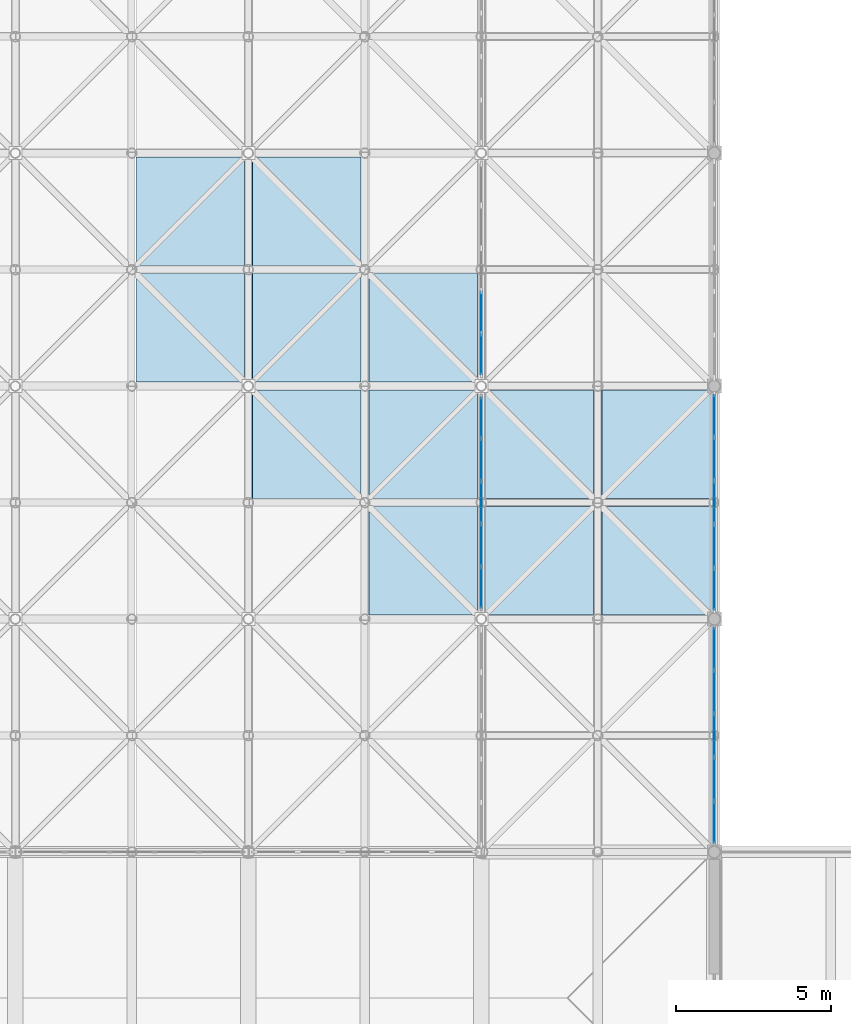
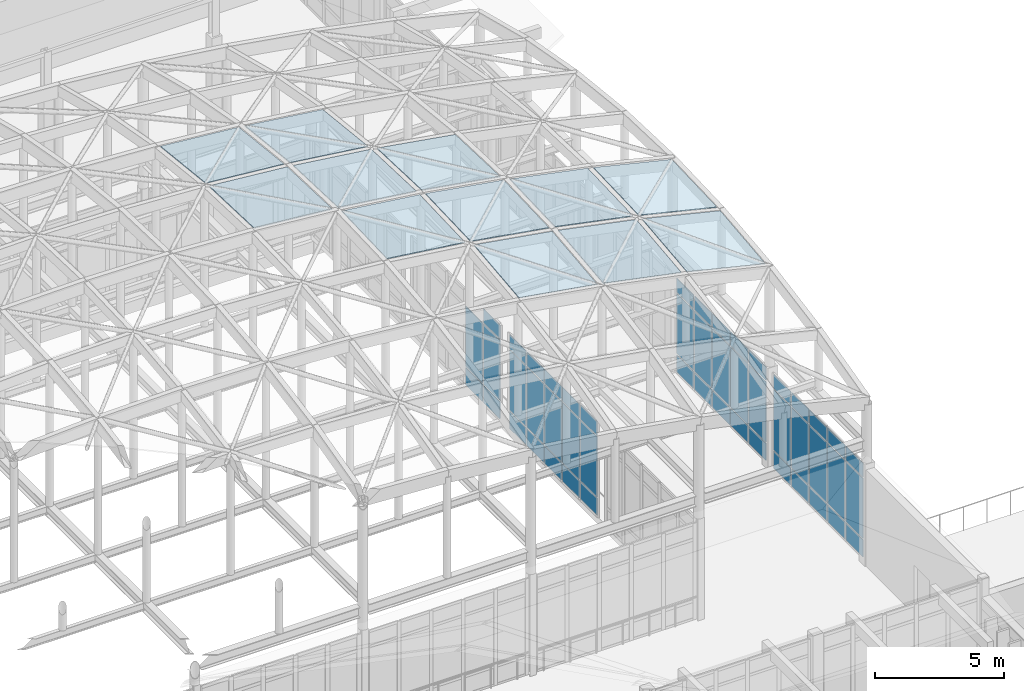
# One storey, part 84 of 131: 62 plates, 5 elements without a shape of their own.
"""IFC4 building model written with IfcOpenShell, lengths in metres."""

from ifc_helpers import new_model, si_unit, direction, frame, origin, origin_2d, place, context, subcontext, project, spatial, polyline, rectangle, outline, extrude, material, layer, layer_set, type_object, element, aggregate, save


model = new_model("IFC4")

# Units and contexts
model_context = context("Model", 3, precision=1e-05, world=origin(), true_north=direction((0.0, 1.0)))
body_context = subcontext(model_context, "Body", "Model", "MODEL_VIEW")
ifc_project = project(units=[si_unit("LENGTHUNIT", "METRE"), si_unit("AREAUNIT", "SQUARE_METRE"), si_unit("VOLUMEUNIT", "CUBIC_METRE"), si_unit("PLANEANGLEUNIT", "RADIAN"), si_unit("MASSUNIT", "GRAM", prefix="KILO")], contexts=[model_context])

# Site, building, storey
site_placement = place(None, origin())
site = spatial("IfcSite", under=ifc_project, at=site_placement, CompositionType="ELEMENT")
building_placement = place(site_placement, origin())
building = spatial("IfcBuilding", under=site, at=building_placement, Name="Dalvernix Boulevard General Hospital", CompositionType="ELEMENT")
storey_placement = place(building_placement, frame((0.0, 0.0, 9.300048828125)))
storey = spatial("IfcBuildingStorey", under=building, at=storey_placement, Name="L02", CompositionType="ELEMENT", Elevation=9.300048828125)

# Curtain wall, plates
ifc_material_1 = material(Name="Thermally broken aluminium and solar-control glass curtain wall", Category="aluminium")
ifc_layer_1 = layer(ifc_material_1, 0.159912109375)
ifc_layer_set_1 = layer_set([ifc_layer_1], Name="Thermally broken aluminium and solar-control glass curtain wall (CW-CW-A-70x46)")
curtain_wall_type_1 = type_object("IfcCurtainWallType", Name="CW-CW-A-70x46", PredefinedType="USERDEFINED", material=ifc_layer_set_1)
curtain_wall_1_placement = place(storey_placement, origin())
curtain_wall_1 = element("IfcCurtainWall", 1, at=curtain_wall_1_placement, inside=storey, type_object=curtain_wall_type_1, Name="L02 curtain wall CW-A-70x46 15-4", ObjectType="GLAZED FACADE", PredefinedType="USERDEFINED")
ifc_material_2 = material(Name="Double-glazed solar-control low-emissivity glass", Category="glass")
ifc_layer_2 = layer(ifc_material_2, 0.02392578125)
ifc_layer_set_2 = layer_set([ifc_layer_2], Name="Double-glazed solar-control low-emissivity glass (PLT-CW-P1)")
plate_type_1 = type_object("IfcPlateType", Name="PLT-CW-P1", PredefinedType="CURTAIN_PANEL", material=ifc_layer_set_2)
plate_1_placement = place(storey_placement, frame((112.5, 38.047119140625, 0.059814453125), z_axis=(0.0, 0.0, 1.0), x_axis=(0.0, -1.0, 0.0)))
plate_1 = element("IfcPlate", 2, at=plate_1_placement, type_object=plate_type_1, Name="CW-A-70x46 panel 1.1", PredefinedType="CURTAIN_PANEL", context=body_context, shape_type="SweptSolid", body=[
    extrude(rectangle(XDim=1.31591796875, YDim=0.02392578125, at=origin_2d()), origin(), (0.0, 0.0, 1.0), 0.81005859375),
])
plate_2_placement = place(storey_placement, frame((112.5, 38.047119140625, 0.9296875), z_axis=(0.0, 0.0, 1.0), x_axis=(0.0, -1.0, 0.0)))
plate_2 = element("IfcPlate", 3, at=plate_2_placement, type_object=plate_type_1, Name="CW-A-70x46 panel 1.2", PredefinedType="CURTAIN_PANEL", context=body_context, shape_type="SweptSolid", body=[
    extrude(rectangle(XDim=1.31591796875, YDim=0.02392578125, at=origin_2d()), origin(), (0.0, 0.0, 1.0), 2.840087890625),
])
plate_3_placement = place(storey_placement, frame((112.5, 38.047119140625, 3.830078125), z_axis=(0.0, 0.0, 1.0), x_axis=(0.0, -1.0, 0.0)))
plate_3 = element("IfcPlate", 4, at=plate_3_placement, type_object=plate_type_1, Name="CW-A-70x46 panel 1.3", PredefinedType="CURTAIN_PANEL", context=body_context, shape_type="SweptSolid", body=[
    extrude(rectangle(XDim=1.31591796875, YDim=0.02392578125, at=origin_2d()), origin(), (0.0, 0.0, 1.0), 0.659912109375),
])
plate_4_placement = place(storey_placement, frame((112.5, 36.656005859375, 0.059814453125), z_axis=(0.0, 0.0, 1.0), x_axis=(0.0, -1.0, 0.0)))
plate_4 = element("IfcPlate", 5, at=plate_4_placement, type_object=plate_type_1, Name="CW-A-70x46 panel 2.1", PredefinedType="CURTAIN_PANEL", context=body_context, shape_type="SweptSolid", body=[
    extrude(rectangle(XDim=1.345947265625, YDim=0.02392578125, at=origin_2d()), origin(), (0.0, 0.0, 1.0), 0.81005859375),
])
plate_5_placement = place(storey_placement, frame((112.5, 36.656005859375, 0.9296875), z_axis=(0.0, 0.0, 1.0), x_axis=(0.0, -1.0, 0.0)))
plate_5 = element("IfcPlate", 6, at=plate_5_placement, type_object=plate_type_1, Name="CW-A-70x46 panel 2.2", PredefinedType="CURTAIN_PANEL", context=body_context, shape_type="SweptSolid", body=[
    extrude(rectangle(XDim=1.345947265625, YDim=0.02392578125, at=origin_2d()), origin(), (0.0, 0.0, 1.0), 2.840087890625),
])
plate_6_placement = place(storey_placement, frame((112.5, 36.656005859375, 3.830078125), z_axis=(0.0, 0.0, 1.0), x_axis=(0.0, -1.0, 0.0)))
plate_6 = element("IfcPlate", 7, at=plate_6_placement, type_object=plate_type_1, Name="CW-A-70x46 panel 2.3", PredefinedType="CURTAIN_PANEL", context=body_context, shape_type="SweptSolid", body=[
    extrude(rectangle(XDim=1.345947265625, YDim=0.02392578125, at=origin_2d()), origin(), (0.0, 0.0, 1.0), 0.659912109375),
])
plate_7_placement = place(storey_placement, frame((112.5, 35.25, 0.059814453125), z_axis=(0.0, 0.0, 1.0), x_axis=(0.0, -1.0, 0.0)))
plate_7 = element("IfcPlate", 8, at=plate_7_placement, type_object=plate_type_1, Name="CW-A-70x46 panel 3.1", PredefinedType="CURTAIN_PANEL", context=body_context, shape_type="SweptSolid", body=[
    extrude(rectangle(XDim=1.345947265625, YDim=0.02392578125, at=origin_2d()), origin(), (0.0, 0.0, 1.0), 0.81005859375),
])
plate_8_placement = place(storey_placement, frame((112.5, 35.25, 0.9296875), z_axis=(0.0, 0.0, 1.0), x_axis=(0.0, -1.0, 0.0)))
plate_8 = element("IfcPlate", 9, at=plate_8_placement, type_object=plate_type_1, Name="CW-A-70x46 panel 3.2", PredefinedType="CURTAIN_PANEL", context=body_context, shape_type="SweptSolid", body=[
    extrude(rectangle(XDim=1.345947265625, YDim=0.02392578125, at=origin_2d()), origin(), (0.0, 0.0, 1.0), 2.840087890625),
])
plate_9_placement = place(storey_placement, frame((112.5, 35.25, 3.830078125), z_axis=(0.0, 0.0, 1.0), x_axis=(0.0, -1.0, 0.0)))
plate_9 = element("IfcPlate", 10, at=plate_9_placement, type_object=plate_type_1, Name="CW-A-70x46 panel 3.3", PredefinedType="CURTAIN_PANEL", context=body_context, shape_type="SweptSolid", body=[
    extrude(rectangle(XDim=1.345947265625, YDim=0.02392578125, at=origin_2d()), origin(), (0.0, 0.0, 1.0), 0.659912109375),
])
plate_10_placement = place(storey_placement, frame((112.5, 33.843994140625, 0.059814453125), z_axis=(0.0, 0.0, 1.0), x_axis=(0.0, -1.0, 0.0)))
plate_10 = element("IfcPlate", 11, at=plate_10_placement, type_object=plate_type_1, Name="CW-A-70x46 panel 4.1", PredefinedType="CURTAIN_PANEL", context=body_context, shape_type="SweptSolid", body=[
    extrude(rectangle(XDim=1.345947265625, YDim=0.02392578125, at=origin_2d()), origin(), (0.0, 0.0, 1.0), 0.81005859375),
])
plate_11_placement = place(storey_placement, frame((112.5, 33.843994140625, 0.9296875), z_axis=(0.0, 0.0, 1.0), x_axis=(0.0, -1.0, 0.0)))
plate_11 = element("IfcPlate", 12, at=plate_11_placement, type_object=plate_type_1, Name="CW-A-70x46 panel 4.2", PredefinedType="CURTAIN_PANEL", context=body_context, shape_type="SweptSolid", body=[
    extrude(rectangle(XDim=1.345947265625, YDim=0.02392578125, at=origin_2d()), origin(), (0.0, 0.0, 1.0), 2.840087890625),
])
plate_12_placement = place(storey_placement, frame((112.5, 33.843994140625, 3.830078125), z_axis=(0.0, 0.0, 1.0), x_axis=(0.0, -1.0, 0.0)))
plate_12 = element("IfcPlate", 13, at=plate_12_placement, type_object=plate_type_1, Name="CW-A-70x46 panel 4.3", PredefinedType="CURTAIN_PANEL", context=body_context, shape_type="SweptSolid", body=[
    extrude(rectangle(XDim=1.345947265625, YDim=0.02392578125, at=origin_2d()), origin(), (0.0, 0.0, 1.0), 0.659912109375),
])
plate_13_placement = place(storey_placement, frame((112.5, 32.452880859375, 0.059814453125), z_axis=(0.0, 0.0, 1.0), x_axis=(0.0, -1.0, 0.0)))
plate_13 = element("IfcPlate", 14, at=plate_13_placement, type_object=plate_type_1, Name="CW-A-70x46 panel 5.1", PredefinedType="CURTAIN_PANEL", context=body_context, shape_type="SweptSolid", body=[
    extrude(rectangle(XDim=1.31591796875, YDim=0.02392578125, at=origin_2d()), origin(), (0.0, 0.0, 1.0), 0.81005859375),
])
plate_14_placement = place(storey_placement, frame((112.5, 32.452880859375, 0.9296875), z_axis=(0.0, 0.0, 1.0), x_axis=(0.0, -1.0, 0.0)))
plate_14 = element("IfcPlate", 15, at=plate_14_placement, type_object=plate_type_1, Name="CW-A-70x46 panel 5.2", PredefinedType="CURTAIN_PANEL", context=body_context, shape_type="SweptSolid", body=[
    extrude(rectangle(XDim=1.31591796875, YDim=0.02392578125, at=origin_2d()), origin(), (0.0, 0.0, 1.0), 2.840087890625),
])
plate_15_placement = place(storey_placement, frame((112.5, 32.452880859375, 3.830078125), z_axis=(0.0, 0.0, 1.0), x_axis=(0.0, -1.0, 0.0)))
plate_15 = element("IfcPlate", 16, at=plate_15_placement, type_object=plate_type_1, Name="CW-A-70x46 panel 5.3", PredefinedType="CURTAIN_PANEL", context=body_context, shape_type="SweptSolid", body=[
    extrude(rectangle(XDim=1.31591796875, YDim=0.02392578125, at=origin_2d()), origin(), (0.0, 0.0, 1.0), 0.659912109375),
])
aggregate(curtain_wall_1, [plate_1, plate_2, plate_3, plate_4, plate_5, plate_6, plate_7, plate_8, plate_9, plate_10, plate_11, plate_12, plate_13, plate_14, plate_15])

ifc_layer_3 = layer(ifc_material_1, 0.159912109375)
ifc_layer_set_3 = layer_set([ifc_layer_3], Name="Thermally broken aluminium and solar-control glass curtain wall (CW-CW-A-69x46)")
curtain_wall_type_2 = type_object("IfcCurtainWallType", Name="CW-CW-A-69x46", PredefinedType="USERDEFINED", material=ifc_layer_set_3)
curtain_wall_2_placement = place(storey_placement, origin())
curtain_wall_2 = element("IfcCurtainWall", 17, at=curtain_wall_2_placement, inside=storey, type_object=curtain_wall_type_2, Name="L02 curtain wall CW-A-69x46 14-5", ObjectType="GLAZED FACADE", PredefinedType="USERDEFINED")
plate_16_placement = place(storey_placement, frame((105.0, 40.012939453125, 0.059814453125), z_axis=(0.0, 0.0, 1.0), x_axis=(0.0, 1.0, 0.0)))
plate_16 = element("IfcPlate", 18, at=plate_16_placement, type_object=plate_type_1, Name="CW-A-69x46 panel 1.1", PredefinedType="CURTAIN_PANEL", context=body_context, shape_type="SweptSolid", body=[
    extrude(rectangle(XDim=1.285888671875, YDim=0.02392578125, at=origin_2d()), origin(), (0.0, 0.0, 1.0), 0.81005859375),
])
plate_17_placement = place(storey_placement, frame((105.0, 40.012939453125, 0.9296875), z_axis=(0.0, 0.0, 1.0), x_axis=(0.0, 1.0, 0.0)))
plate_17 = element("IfcPlate", 19, at=plate_17_placement, type_object=plate_type_1, Name="CW-A-69x46 panel 1.2", PredefinedType="CURTAIN_PANEL", context=body_context, shape_type="SweptSolid", body=[
    extrude(rectangle(XDim=1.285888671875, YDim=0.02392578125, at=origin_2d()), origin(), (0.0, 0.0, 1.0), 2.840087890625),
])
plate_18_placement = place(storey_placement, frame((105.0, 40.012939453125, 3.830078125), z_axis=(0.0, 0.0, 1.0), x_axis=(0.0, 1.0, 0.0)))
plate_18 = element("IfcPlate", 20, at=plate_18_placement, type_object=plate_type_1, Name="CW-A-69x46 panel 1.3", PredefinedType="CURTAIN_PANEL", context=body_context, shape_type="SweptSolid", body=[
    extrude(rectangle(XDim=1.285888671875, YDim=0.02392578125, at=origin_2d()), origin(), (0.0, 0.0, 1.0), 0.659912109375),
])
plate_19_placement = place(storey_placement, frame((105.0, 41.3740234375, 0.059814453125), z_axis=(0.0, 0.0, 1.0), x_axis=(0.0, 1.0, 0.0)))
plate_19 = element("IfcPlate", 21, at=plate_19_placement, type_object=plate_type_1, Name="CW-A-69x46 panel 2.1", PredefinedType="CURTAIN_PANEL", context=body_context, shape_type="SweptSolid", body=[
    extrude(rectangle(XDim=1.31591796875, YDim=0.02392578125, at=origin_2d()), origin(), (0.0, 0.0, 1.0), 0.81005859375),
])
plate_20_placement = place(storey_placement, frame((105.0, 41.3740234375, 0.9296875), z_axis=(0.0, 0.0, 1.0), x_axis=(0.0, 1.0, 0.0)))
plate_20 = element("IfcPlate", 22, at=plate_20_placement, type_object=plate_type_1, Name="CW-A-69x46 panel 2.2", PredefinedType="CURTAIN_PANEL", context=body_context, shape_type="SweptSolid", body=[
    extrude(rectangle(XDim=1.31591796875, YDim=0.02392578125, at=origin_2d()), origin(), (0.0, 0.0, 1.0), 2.840087890625),
])
plate_21_placement = place(storey_placement, frame((105.0, 41.3740234375, 3.830078125), z_axis=(0.0, 0.0, 1.0), x_axis=(0.0, 1.0, 0.0)))
plate_21 = element("IfcPlate", 23, at=plate_21_placement, type_object=plate_type_1, Name="CW-A-69x46 panel 2.3", PredefinedType="CURTAIN_PANEL", context=body_context, shape_type="SweptSolid", body=[
    extrude(rectangle(XDim=1.31591796875, YDim=0.02392578125, at=origin_2d()), origin(), (0.0, 0.0, 1.0), 0.659912109375),
])
plate_22_placement = place(storey_placement, frame((105.0, 42.75, 0.059814453125), z_axis=(0.0, 0.0, 1.0), x_axis=(0.0, 1.0, 0.0)))
plate_22 = element("IfcPlate", 24, at=plate_22_placement, type_object=plate_type_1, Name="CW-A-69x46 panel 3.1", PredefinedType="CURTAIN_PANEL", context=body_context, shape_type="SweptSolid", body=[
    extrude(rectangle(XDim=1.31591796875, YDim=0.02392578125, at=origin_2d()), origin(), (0.0, 0.0, 1.0), 0.81005859375),
])
plate_23_placement = place(storey_placement, frame((105.0, 42.75, 0.9296875), z_axis=(0.0, 0.0, 1.0), x_axis=(0.0, 1.0, 0.0)))
plate_23 = element("IfcPlate", 25, at=plate_23_placement, type_object=plate_type_1, Name="CW-A-69x46 panel 3.2", PredefinedType="CURTAIN_PANEL", context=body_context, shape_type="SweptSolid", body=[
    extrude(rectangle(XDim=1.31591796875, YDim=0.02392578125, at=origin_2d()), origin(), (0.0, 0.0, 1.0), 2.840087890625),
])
plate_24_placement = place(storey_placement, frame((105.0, 42.75, 3.830078125), z_axis=(0.0, 0.0, 1.0), x_axis=(0.0, 1.0, 0.0)))
plate_24 = element("IfcPlate", 26, at=plate_24_placement, type_object=plate_type_1, Name="CW-A-69x46 panel 3.3", PredefinedType="CURTAIN_PANEL", context=body_context, shape_type="SweptSolid", body=[
    extrude(rectangle(XDim=1.31591796875, YDim=0.02392578125, at=origin_2d()), origin(), (0.0, 0.0, 1.0), 0.659912109375),
])
plate_25_placement = place(storey_placement, frame((105.0, 44.1259765625, 0.059814453125), z_axis=(0.0, 0.0, 1.0), x_axis=(0.0, 1.0, 0.0)))
plate_25 = element("IfcPlate", 27, at=plate_25_placement, type_object=plate_type_1, Name="CW-A-69x46 panel 4.1", PredefinedType="CURTAIN_PANEL", context=body_context, shape_type="SweptSolid", body=[
    extrude(rectangle(XDim=1.31591796875, YDim=0.02392578125, at=origin_2d()), origin(), (0.0, 0.0, 1.0), 0.81005859375),
])
plate_26_placement = place(storey_placement, frame((105.0, 44.1259765625, 0.9296875), z_axis=(0.0, 0.0, 1.0), x_axis=(0.0, 1.0, 0.0)))
plate_26 = element("IfcPlate", 28, at=plate_26_placement, type_object=plate_type_1, Name="CW-A-69x46 panel 4.2", PredefinedType="CURTAIN_PANEL", context=body_context, shape_type="SweptSolid", body=[
    extrude(rectangle(XDim=1.31591796875, YDim=0.02392578125, at=origin_2d()), origin(), (0.0, 0.0, 1.0), 2.840087890625),
])
plate_27_placement = place(storey_placement, frame((105.0, 44.1259765625, 3.830078125), z_axis=(0.0, 0.0, 1.0), x_axis=(0.0, 1.0, 0.0)))
plate_27 = element("IfcPlate", 29, at=plate_27_placement, type_object=plate_type_1, Name="CW-A-69x46 panel 4.3", PredefinedType="CURTAIN_PANEL", context=body_context, shape_type="SweptSolid", body=[
    extrude(rectangle(XDim=1.31591796875, YDim=0.02392578125, at=origin_2d()), origin(), (0.0, 0.0, 1.0), 0.659912109375),
])
plate_28_placement = place(storey_placement, frame((105.0, 45.487060546875, 0.059814453125), z_axis=(0.0, 0.0, 1.0), x_axis=(0.0, 1.0, 0.0)))
plate_28 = element("IfcPlate", 30, at=plate_28_placement, type_object=plate_type_1, Name="CW-A-69x46 panel 5.1", PredefinedType="CURTAIN_PANEL", context=body_context, shape_type="SweptSolid", body=[
    extrude(rectangle(XDim=1.285888671875, YDim=0.02392578125, at=origin_2d()), origin(), (0.0, 0.0, 1.0), 0.81005859375),
])
plate_29_placement = place(storey_placement, frame((105.0, 45.487060546875, 0.9296875), z_axis=(0.0, 0.0, 1.0), x_axis=(0.0, 1.0, 0.0)))
plate_29 = element("IfcPlate", 31, at=plate_29_placement, type_object=plate_type_1, Name="CW-A-69x46 panel 5.2", PredefinedType="CURTAIN_PANEL", context=body_context, shape_type="SweptSolid", body=[
    extrude(rectangle(XDim=1.285888671875, YDim=0.02392578125, at=origin_2d()), origin(), (0.0, 0.0, 1.0), 2.840087890625),
])
plate_30_placement = place(storey_placement, frame((105.0, 45.487060546875, 3.830078125), z_axis=(0.0, 0.0, 1.0), x_axis=(0.0, 1.0, 0.0)))
plate_30 = element("IfcPlate", 32, at=plate_30_placement, type_object=plate_type_1, Name="CW-A-69x46 panel 5.3", PredefinedType="CURTAIN_PANEL", context=body_context, shape_type="SweptSolid", body=[
    extrude(rectangle(XDim=1.285888671875, YDim=0.02392578125, at=origin_2d()), origin(), (0.0, 0.0, 1.0), 0.659912109375),
])
aggregate(curtain_wall_2, [plate_16, plate_17, plate_18, plate_19, plate_20, plate_21, plate_22, plate_23, plate_24, plate_25, plate_26, plate_27, plate_28, plate_29, plate_30])

ifc_layer_4 = layer(ifc_material_1, 0.179931640625)
ifc_layer_set_4 = layer_set([ifc_layer_4], Name="Thermally broken aluminium and solar-control glass curtain wall (CW-CW-B-70x46)")
curtain_wall_type_3 = type_object("IfcCurtainWallType", Name="CW-CW-B-70x46", PredefinedType="USERDEFINED", material=ifc_layer_set_4)
curtain_wall_3_placement = place(storey_placement, origin())
curtain_wall_3 = element("IfcCurtainWall", 33, at=curtain_wall_3_placement, inside=storey, type_object=curtain_wall_type_3, Name="L02 curtain wall CW-B-70x46 15-5", ObjectType="GLAZED FACADE", PredefinedType="USERDEFINED")
ifc_layer_5 = layer(ifc_material_2, 0.028076171875)
ifc_layer_set_5 = layer_set([ifc_layer_5], Name="Double-glazed solar-control low-emissivity glass (PLT-CW-P2)")
plate_type_2 = type_object("IfcPlateType", Name="PLT-CW-P2", PredefinedType="CURTAIN_PANEL", material=ifc_layer_set_5)
plate_31_placement = place(storey_placement, frame((112.5, 45.545654296875, 0.06494140625), z_axis=(0.0, 0.0, 1.0), x_axis=(0.0, -1.0, 0.0)))
plate_31 = element("IfcPlate", 34, at=plate_31_placement, type_object=plate_type_2, Name="CW-B-70x46 panel 1.1", PredefinedType="CURTAIN_PANEL", context=body_context, shape_type="SweptSolid", body=[
    extrude(rectangle(XDim=1.30859375, YDim=0.028076171875, at=origin_2d()), origin(), (0.0, 0.0, 1.0), 0.802490234375),
])
plate_32_placement = place(storey_placement, frame((112.5, 45.545654296875, 0.932373046875), z_axis=(0.0, 0.0, 1.0), x_axis=(0.0, -1.0, 0.0)))
plate_32 = element("IfcPlate", 35, at=plate_32_placement, type_object=plate_type_2, Name="CW-B-70x46 panel 1.2", PredefinedType="CURTAIN_PANEL", context=body_context, shape_type="SweptSolid", body=[
    extrude(rectangle(XDim=1.30859375, YDim=0.028076171875, at=origin_2d()), origin(), (0.0, 0.0, 1.0), 2.8349609375),
])
plate_33_placement = place(storey_placement, frame((112.5, 45.545654296875, 3.83251953125), z_axis=(0.0, 0.0, 1.0), x_axis=(0.0, -1.0, 0.0)))
plate_33 = element("IfcPlate", 36, at=plate_33_placement, type_object=plate_type_2, Name="CW-B-70x46 panel 1.3", PredefinedType="CURTAIN_PANEL", context=body_context, shape_type="SweptSolid", body=[
    extrude(rectangle(XDim=1.30859375, YDim=0.028076171875, at=origin_2d()), origin(), (0.0, 0.0, 1.0), 0.652587890625),
])
plate_34_placement = place(storey_placement, frame((112.5, 44.156005859375, 0.06494140625), z_axis=(0.0, 0.0, 1.0), x_axis=(0.0, -1.0, 0.0)))
plate_34 = element("IfcPlate", 37, at=plate_34_placement, type_object=plate_type_2, Name="CW-B-70x46 panel 2.1", PredefinedType="CURTAIN_PANEL", context=body_context, shape_type="SweptSolid", body=[
    extrude(rectangle(XDim=1.341064453125, YDim=0.028076171875, at=origin_2d()), origin(), (0.0, 0.0, 1.0), 0.802490234375),
])
plate_35_placement = place(storey_placement, frame((112.5, 44.156005859375, 0.932373046875), z_axis=(0.0, 0.0, 1.0), x_axis=(0.0, -1.0, 0.0)))
plate_35 = element("IfcPlate", 38, at=plate_35_placement, type_object=plate_type_2, Name="CW-B-70x46 panel 2.2", PredefinedType="CURTAIN_PANEL", context=body_context, shape_type="SweptSolid", body=[
    extrude(rectangle(XDim=1.341064453125, YDim=0.028076171875, at=origin_2d()), origin(), (0.0, 0.0, 1.0), 2.8349609375),
])
plate_36_placement = place(storey_placement, frame((112.5, 44.156005859375, 3.83251953125), z_axis=(0.0, 0.0, 1.0), x_axis=(0.0, -1.0, 0.0)))
plate_36 = element("IfcPlate", 39, at=plate_36_placement, type_object=plate_type_2, Name="CW-B-70x46 panel 2.3", PredefinedType="CURTAIN_PANEL", context=body_context, shape_type="SweptSolid", body=[
    extrude(rectangle(XDim=1.341064453125, YDim=0.028076171875, at=origin_2d()), origin(), (0.0, 0.0, 1.0), 0.652587890625),
])
plate_37_placement = place(storey_placement, frame((112.5, 42.75, 0.06494140625), z_axis=(0.0, 0.0, 1.0), x_axis=(0.0, -1.0, 0.0)))
plate_37 = element("IfcPlate", 40, at=plate_37_placement, type_object=plate_type_2, Name="CW-B-70x46 panel 3.1", PredefinedType="CURTAIN_PANEL", context=body_context, shape_type="SweptSolid", body=[
    extrude(rectangle(XDim=1.341064453125, YDim=0.028076171875, at=origin_2d()), origin(), (0.0, 0.0, 1.0), 0.802490234375),
])
plate_38_placement = place(storey_placement, frame((112.5, 42.75, 0.932373046875), z_axis=(0.0, 0.0, 1.0), x_axis=(0.0, -1.0, 0.0)))
plate_38 = element("IfcPlate", 41, at=plate_38_placement, type_object=plate_type_2, Name="CW-B-70x46 panel 3.2", PredefinedType="CURTAIN_PANEL", context=body_context, shape_type="SweptSolid", body=[
    extrude(rectangle(XDim=1.341064453125, YDim=0.028076171875, at=origin_2d()), origin(), (0.0, 0.0, 1.0), 2.8349609375),
])
plate_39_placement = place(storey_placement, frame((112.5, 42.75, 3.83251953125), z_axis=(0.0, 0.0, 1.0), x_axis=(0.0, -1.0, 0.0)))
plate_39 = element("IfcPlate", 42, at=plate_39_placement, type_object=plate_type_2, Name="CW-B-70x46 panel 3.3", PredefinedType="CURTAIN_PANEL", context=body_context, shape_type="SweptSolid", body=[
    extrude(rectangle(XDim=1.341064453125, YDim=0.028076171875, at=origin_2d()), origin(), (0.0, 0.0, 1.0), 0.652587890625),
])
plate_40_placement = place(storey_placement, frame((112.5, 41.343994140625, 0.06494140625), z_axis=(0.0, 0.0, 1.0), x_axis=(0.0, -1.0, 0.0)))
plate_40 = element("IfcPlate", 43, at=plate_40_placement, type_object=plate_type_2, Name="CW-B-70x46 panel 4.1", PredefinedType="CURTAIN_PANEL", context=body_context, shape_type="SweptSolid", body=[
    extrude(rectangle(XDim=1.341064453125, YDim=0.028076171875, at=origin_2d()), origin(), (0.0, 0.0, 1.0), 0.802490234375),
])
plate_41_placement = place(storey_placement, frame((112.5, 41.343994140625, 0.932373046875), z_axis=(0.0, 0.0, 1.0), x_axis=(0.0, -1.0, 0.0)))
plate_41 = element("IfcPlate", 44, at=plate_41_placement, type_object=plate_type_2, Name="CW-B-70x46 panel 4.2", PredefinedType="CURTAIN_PANEL", context=body_context, shape_type="SweptSolid", body=[
    extrude(rectangle(XDim=1.341064453125, YDim=0.028076171875, at=origin_2d()), origin(), (0.0, 0.0, 1.0), 2.8349609375),
])
plate_42_placement = place(storey_placement, frame((112.5, 41.343994140625, 3.83251953125), z_axis=(0.0, 0.0, 1.0), x_axis=(0.0, -1.0, 0.0)))
plate_42 = element("IfcPlate", 45, at=plate_42_placement, type_object=plate_type_2, Name="CW-B-70x46 panel 4.3", PredefinedType="CURTAIN_PANEL", context=body_context, shape_type="SweptSolid", body=[
    extrude(rectangle(XDim=1.341064453125, YDim=0.028076171875, at=origin_2d()), origin(), (0.0, 0.0, 1.0), 0.652587890625),
])
plate_43_placement = place(storey_placement, frame((112.5, 39.954345703125, 0.06494140625), z_axis=(0.0, 0.0, 1.0), x_axis=(0.0, -1.0, 0.0)))
plate_43 = element("IfcPlate", 46, at=plate_43_placement, type_object=plate_type_2, Name="CW-B-70x46 panel 5.1", PredefinedType="CURTAIN_PANEL", context=body_context, shape_type="SweptSolid", body=[
    extrude(rectangle(XDim=1.30859375, YDim=0.028076171875, at=origin_2d()), origin(), (0.0, 0.0, 1.0), 0.802490234375),
])
plate_44_placement = place(storey_placement, frame((112.5, 39.954345703125, 0.932373046875), z_axis=(0.0, 0.0, 1.0), x_axis=(0.0, -1.0, 0.0)))
plate_44 = element("IfcPlate", 47, at=plate_44_placement, type_object=plate_type_2, Name="CW-B-70x46 panel 5.2", PredefinedType="CURTAIN_PANEL", context=body_context, shape_type="SweptSolid", body=[
    extrude(rectangle(XDim=1.30859375, YDim=0.028076171875, at=origin_2d()), origin(), (0.0, 0.0, 1.0), 2.8349609375),
])
plate_45_placement = place(storey_placement, frame((112.5, 39.954345703125, 3.83251953125), z_axis=(0.0, 0.0, 1.0), x_axis=(0.0, -1.0, 0.0)))
plate_45 = element("IfcPlate", 48, at=plate_45_placement, type_object=plate_type_2, Name="CW-B-70x46 panel 5.3", PredefinedType="CURTAIN_PANEL", context=body_context, shape_type="SweptSolid", body=[
    extrude(rectangle(XDim=1.30859375, YDim=0.028076171875, at=origin_2d()), origin(), (0.0, 0.0, 1.0), 0.652587890625),
])
aggregate(curtain_wall_3, [plate_31, plate_32, plate_33, plate_34, plate_35, plate_36, plate_37, plate_38, plate_39, plate_40, plate_41, plate_42, plate_43, plate_44, plate_45])

ifc_layer_6 = layer(ifc_material_1, 0.179931640625)
ifc_layer_set_6 = layer_set([ifc_layer_6], Name="Thermally broken aluminium and solar-control glass curtain wall (CW-CW-B-69x46)")
curtain_wall_type_4 = type_object("IfcCurtainWallType", Name="CW-CW-B-69x46", PredefinedType="USERDEFINED", material=ifc_layer_set_6)
curtain_wall_4_placement = place(storey_placement, origin())
curtain_wall_4 = element("IfcCurtainWall", 49, at=curtain_wall_4_placement, inside=storey, type_object=curtain_wall_type_4, Name="L02 curtain wall CW-B-69x46 14-6", ObjectType="GLAZED FACADE", PredefinedType="USERDEFINED")
plate_46_placement = place(storey_placement, frame((105.0, 47.51416015625, 0.06494140625), z_axis=(0.0, 0.0, 1.0), x_axis=(0.0, 1.0, 0.0)))
plate_46 = element("IfcPlate", 50, at=plate_46_placement, type_object=plate_type_2, Name="CW-B-69x46 panel 1.1", PredefinedType="CURTAIN_PANEL", context=body_context, shape_type="SweptSolid", body=[
    extrude(rectangle(XDim=1.278564453125, YDim=0.028076171875, at=origin_2d()), origin(), (0.0, 0.0, 1.0), 0.802490234375),
])
plate_47_placement = place(storey_placement, frame((105.0, 47.51416015625, 0.932373046875), z_axis=(0.0, 0.0, 1.0), x_axis=(0.0, 1.0, 0.0)))
plate_47 = element("IfcPlate", 51, at=plate_47_placement, type_object=plate_type_2, Name="CW-B-69x46 panel 1.2", PredefinedType="CURTAIN_PANEL", context=body_context, shape_type="SweptSolid", body=[
    extrude(rectangle(XDim=1.278564453125, YDim=0.028076171875, at=origin_2d()), origin(), (0.0, 0.0, 1.0), 2.8349609375),
])
plate_48_placement = place(storey_placement, frame((105.0, 47.51416015625, 3.83251953125), z_axis=(0.0, 0.0, 1.0), x_axis=(0.0, 1.0, 0.0)))
plate_48 = element("IfcPlate", 52, at=plate_48_placement, type_object=plate_type_2, Name="CW-B-69x46 panel 1.3", PredefinedType="CURTAIN_PANEL", context=body_context, shape_type="SweptSolid", body=[
    extrude(rectangle(XDim=1.278564453125, YDim=0.028076171875, at=origin_2d()), origin(), (0.0, 0.0, 1.0), 0.652587890625),
])
plate_49_placement = place(storey_placement, frame((105.0, 48.8740234375, 0.06494140625), z_axis=(0.0, 0.0, 1.0), x_axis=(0.0, 1.0, 0.0)))
plate_49 = element("IfcPlate", 53, at=plate_49_placement, type_object=plate_type_2, Name="CW-B-69x46 panel 2.1", PredefinedType="CURTAIN_PANEL", context=body_context, shape_type="SweptSolid", body=[
    extrude(rectangle(XDim=1.31103515625, YDim=0.028076171875, at=origin_2d()), origin(), (0.0, 0.0, 1.0), 0.802490234375),
])
plate_50_placement = place(storey_placement, frame((105.0, 48.8740234375, 0.932373046875), z_axis=(0.0, 0.0, 1.0), x_axis=(0.0, 1.0, 0.0)))
plate_50 = element("IfcPlate", 54, at=plate_50_placement, type_object=plate_type_2, Name="CW-B-69x46 panel 2.2", PredefinedType="CURTAIN_PANEL", context=body_context, shape_type="SweptSolid", body=[
    extrude(rectangle(XDim=1.31103515625, YDim=0.028076171875, at=origin_2d()), origin(), (0.0, 0.0, 1.0), 2.8349609375),
])
aggregate(curtain_wall_4, [plate_46, plate_47, plate_48, plate_49, plate_50])

# Roof, plates
ifc_material_3 = material(Name="Polychrome Catalan glazed terracotta tile roof system", Category="masonry")
roof_type = type_object("IfcRoofType", Name="ROOF-HIP-01", PredefinedType="HIP_ROOF", material=ifc_material_3)
roof_placement = place(storey_placement, origin())
roof = element("IfcRoof", 55, at=roof_placement, inside=storey, type_object=roof_type, Name="V1 Arrival Hall and Botanical Conservatory Dome Vault Gridshell Roof", PredefinedType="HIP_ROOF")
ifc_material_4 = material(Name="Laminated solar-control glass", Category="glass")
ifc_layer_7 = layer(ifc_material_4, 0.031982421875)
ifc_layer_set_7 = layer_set([ifc_layer_7], Name="Laminated solar-control glass (PLT-GP-01)")
plate_type_3 = type_object("IfcPlateType", Name="PLT-GP-01", PredefinedType="SHEET", material=ifc_layer_set_7)
plate_51_placement = place(storey_placement, frame((93.8798828125, 46.6298828125, 13.112548828125), z_axis=(0.092088298696, 0.036473370005, 0.995082628993), x_axis=(0.99574517266, 0.0, -0.092149612719)))
plate_51 = element("IfcPlate", 56, at=plate_51_placement, type_object=plate_type_3, Name="Gridshell solar-control glazing panel 10-5", PredefinedType="SHEET", context=body_context, shape_type="SweptSolid", body=[
    extrude(outline(polyline([(0.0, 0.0), (3.505148175286846, 0.0), (3.5169368464452195, 3.4925582349629916), (0.011788671158373376, 3.492558234962992), (0.0, 0.0)])), origin(), (0.0, 0.0, -1.0), 0.031982421875),
])
plate_52_placement = place(storey_placement, frame((93.8798828125, 50.3798828125, 12.96533203125), z_axis=(0.091533494992, 0.108843157433, 0.989835737067), x_axis=(0.995751561403, 0.0, -0.092080551495)))
plate_52 = element("IfcPlate", 57, at=plate_52_placement, type_object=plate_type_3, Name="Gridshell solar-control glazing panel 10-6", PredefinedType="SHEET", context=body_context, shape_type="SweptSolid", body=[
    extrude(outline(polyline([(0.0, 0.0), (3.5051256862531015, -6.938893903907228e-18), (3.5404651947859076, 3.5110940112823705), (0.03533950853280641, 3.511094011282371), (0.0, 0.0)])), origin(), (0.0, 0.0, -1.0), 0.031982421875),
])
plate_53_placement = place(storey_placement, frame((97.6298828125, 42.8798828125, 12.6328125), z_axis=(0.12835412545, -0.036360647474, 0.991061613521), x_axis=(0.991717397651, -1.249896e-06, -0.128439103058)))
plate_53 = element("IfcPlate", 58, at=plate_53_placement, type_object=plate_type_3, Name="Gridshell solar-control glazing panel 11-4", PredefinedType="SHEET", context=body_context, shape_type="SweptSolid", body=[
    extrude(outline(polyline([(0.0, 0.0), (3.5193996913293843, 3.469446951953614e-18), (3.5029327973809865, 3.4925482601412368), (-0.016435536745502806, 3.4925394565947867), (0.0, 0.0)])), origin(), (0.0, 0.0, -1.0), 0.031982421875),
])
plate_54_placement = place(storey_placement, frame((97.6298828125, 46.6298828125, 12.7607421875), z_axis=(0.12835412545, 0.036360647474, 0.991061613521), x_axis=(0.991717409333, -1.249907e-06, -0.128439012857)))
plate_54 = element("IfcPlate", 59, at=plate_54_placement, type_object=plate_type_3, Name="Gridshell solar-control glazing panel 11-5", PredefinedType="SHEET", context=body_context, shape_type="SweptSolid", body=[
    extrude(outline(polyline([(0.0, 0.0), (3.5193683341374995, -6.938893903907228e-18), (3.535826491628641, 3.4925483013215275), (0.01642680031026848, 3.4925394976966384), (0.0, 0.0)])), origin(), (0.0, 0.0, -1.0), 0.031982421875),
])
plate_55_placement = place(storey_placement, frame((97.6298828125, 50.3798828125, 12.61376953125), z_axis=(0.127647235765, 0.10847601397, 0.985869736626), x_axis=(0.991721820954, 0.0, -0.128404944781)))
plate_55 = element("IfcPlate", 60, at=plate_55_placement, type_object=plate_type_3, Name="Gridshell solar-control glazing panel 11-6", PredefinedType="SHEET", context=body_context, shape_type="SweptSolid", body=[
    extrude(outline(polyline([(0.0, 0.0), (3.519368336216846, 0.0), (3.5686800984580813, 3.51095227020231), (0.049311762241235374, 3.51095227020231), (0.0, 0.0)])), origin(), (0.0, 0.0, -1.0), 0.031982421875),
])
plate_56_placement = place(storey_placement, frame((101.3798828125, 39.1298828125, 11.7392578125), z_axis=(0.163295130925, -0.107868764284, 0.980662546398), x_axis=(0.986418221241, 3.649508e-06, -0.164253136319)))
plate_56 = element("IfcPlate", 61, at=plate_56_placement, type_object=plate_type_3, Name="Gridshell solar-control glazing panel 12-3", PredefinedType="SHEET", context=body_context, shape_type="SweptSolid", body=[
    extrude(outline(polyline([(0.0, 0.0), (3.538270838696062, 0.0), (3.47524501913257, 3.5107061638172152), (-0.06306592042685101, 3.510732141432093), (0.0, 0.0)])), origin(), (0.0, 0.0, -1.0), 0.031982421875),
])
plate_57_placement = place(storey_placement, frame((101.3798828125, 42.8798828125, 12.142333984375), z_axis=(0.164179820632, -0.036131972285, 0.985768465247), x_axis=(0.986412565919, 0.0, -0.164287095653)))
plate_57 = element("IfcPlate", 62, at=plate_57_placement, type_object=plate_type_3, Name="Gridshell solar-control glazing panel 12-4", PredefinedType="SHEET", context=body_context, shape_type="SweptSolid", body=[
    extrude(outline(polyline([(0.0, 0.0), (3.5383109416798204, 0.0), (3.5172937448726787, 3.492514892568657), (-0.02101719680714164, 3.492514892568657), (0.0, 0.0)])), origin(), (0.0, 0.0, -1.0), 0.031982421875),
])
plate_58_placement = place(storey_placement, frame((101.3798828125, 46.6298828125, 12.270263671875), z_axis=(0.164179820632, 0.036131972285, 0.985768465247), x_axis=(0.986412565919, 0.0, -0.164287095653)))
plate_58 = element("IfcPlate", 63, at=plate_58_placement, type_object=plate_type_3, Name="Gridshell solar-control glazing panel 12-5", PredefinedType="SHEET", context=body_context, shape_type="SweptSolid", body=[
    extrude(outline(polyline([(0.0, 0.0), (3.5383109416798204, 0.0), (3.559328138486962, 3.492514892568657), (0.02101719680714164, 3.492514892568657), (0.0, 0.0)])), origin(), (0.0, 0.0, -1.0), 0.031982421875),
])
plate_59_placement = place(storey_placement, frame((105.1298828125, 39.1298828125, 11.110107421875), z_axis=(0.19831517465, -0.107131084038, 0.974265888932), x_axis=(0.97990533738, 0.0, -0.19946310379)))
plate_59 = element("IfcPlate", 64, at=plate_59_placement, type_object=plate_type_3, Name="Gridshell solar-control glazing panel 13-3", PredefinedType="SHEET", context=body_context, shape_type="SweptSolid", body=[
    extrude(outline(polyline([(0.0, 0.0), (3.5618076990278587, 1.3877787807814457e-17), (3.485255941421085, 3.5104372755161974), (-0.07655175760677342, 3.5104372755161974), (0.0, 0.0)])), origin(), (0.0, 0.0, -1.0), 0.031982421875),
])
plate_60_placement = place(storey_placement, frame((105.1298828125, 42.8798828125, 11.512939453125), z_axis=(0.199268791461, -0.035894412762, 0.979287261166), x_axis=(0.979918732622, 0.0, -0.199397285478)))
plate_60 = element("IfcPlate", 65, at=plate_60_placement, type_object=plate_type_3, Name="Gridshell solar-control glazing panel 13-4", PredefinedType="SHEET", context=body_context, shape_type="SweptSolid", body=[
    extrude(outline(polyline([(0.0, 0.0), (3.5617590100154413, -3.469446951953614e-18), (3.5362501775958526, 3.4924849744621778), (-0.02550883241958878, 3.4924849744621778), (0.0, 0.0)])), origin(), (0.0, 0.0, -1.0), 0.031982421875),
])
plate_61_placement = place(storey_placement, frame((108.8798828125, 39.1298828125, 10.342041015625), z_axis=(0.232559495641, -0.106305183817, 0.96675503044), x_axis=(0.972264317957, 0.0, -0.233884792211)))
plate_61 = element("IfcPlate", 66, at=plate_61_placement, type_object=plate_type_3, Name="Gridshell solar-control glazing panel 14-3", PredefinedType="SHEET", context=body_context, shape_type="SweptSolid", body=[
    extrude(outline(polyline([(0.0, 0.0), (3.5897999242986085, 0.0), (3.5000374991627963, 3.5101243202997825), (-0.08976242513581202, 3.5101243202997825), (0.0, 0.0)])), origin(), (0.0, 0.0, -1.0), 0.031982421875),
])
plate_62_placement = place(storey_placement, frame((108.8798828125, 42.8798828125, 10.744873046875), z_axis=(0.23367216247, -0.035614954373, 0.971662953658), x_axis=(0.972279781299, 0.0, -0.233820501406)))
plate_62 = element("IfcPlate", 67, at=plate_62_placement, type_object=plate_type_3, Name="Gridshell solar-control glazing panel 14-4", PredefinedType="SHEET", context=body_context, shape_type="SweptSolid", body=[
    extrude(outline(polyline([(0.0, 0.0), (3.5897428313671966, -3.469446951953614e-18), (3.559830247691193, 3.492450033245045), (-0.029912583676003097, 3.492450033245045), (0.0, 0.0)])), origin(), (0.0, 0.0, -1.0), 0.031982421875),
])
aggregate(roof, [plate_51, plate_52, plate_53, plate_54, plate_55, plate_56, plate_57, plate_58, plate_59, plate_60, plate_61, plate_62])

save(model, "model.ifc")
